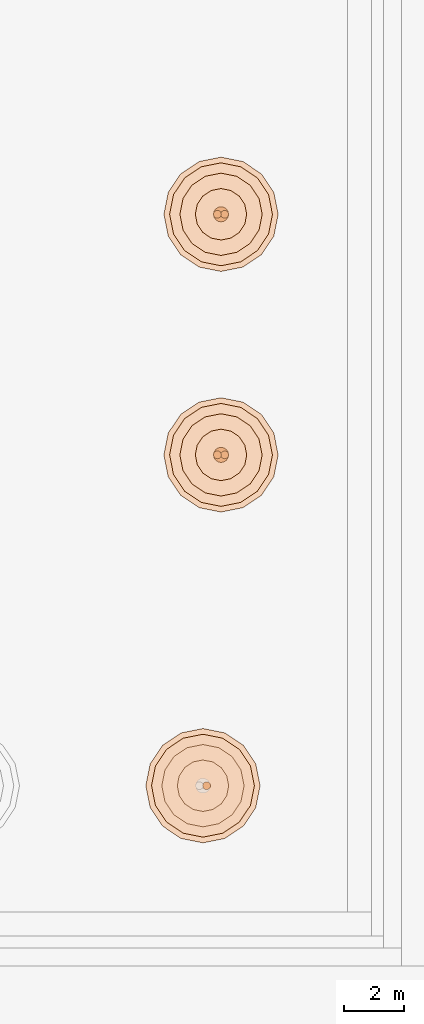
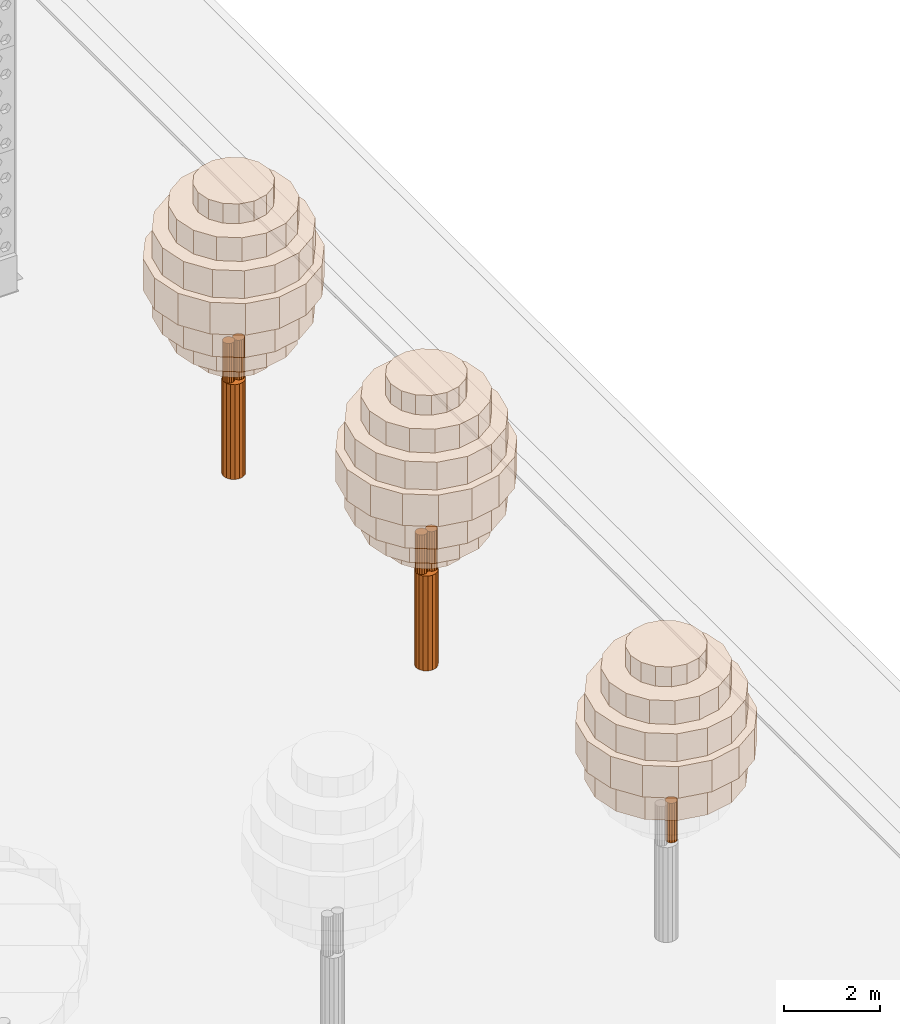
# One storey, part 245 of 250: 26 geographic elements.
"""IFC4 building model written with IfcOpenShell, lengths in metres."""

from ifc_helpers import new_model, si_unit, direction, frame, origin, place, context, subcontext, project, spatial, polyline, outline, extrude, material, type_object, element, save


model = new_model("IFC4")

# Units and contexts
model_context = context("Model", 3, precision=1e-05, world=origin(), true_north=direction((0.0, 1.0)))
body_context = subcontext(model_context, "Body", "Model", "MODEL_VIEW")
ifc_project = project(units=[si_unit("LENGTHUNIT", "METRE"), si_unit("AREAUNIT", "SQUARE_METRE"), si_unit("VOLUMEUNIT", "CUBIC_METRE"), si_unit("PLANEANGLEUNIT", "RADIAN"), si_unit("MASSUNIT", "GRAM", prefix="KILO")], contexts=[model_context])

# Site, building, storey
site_placement = place(None, origin())
site = spatial("IfcSite", under=ifc_project, at=site_placement, CompositionType="ELEMENT")
building_placement = place(site_placement, origin())
building = spatial("IfcBuilding", under=site, at=building_placement, Name="Baradari Gate Terminus", CompositionType="ELEMENT")
storey_placement = place(building_placement, origin())
storey = spatial("IfcBuildingStorey", under=building, at=storey_placement, Name="L00", CompositionType="ELEMENT", Elevation=0.0)

# Geographic elements
ifc_material_1 = material(Name="Planted foliage, green")
geographic_element_type_1 = type_object("IfcGeographicElementType", Name="Street tree crown, belly layer TR-4 3420x700", PredefinedType="USERDEFINED", material=ifc_material_1)
for number, where, name in (
    (1, (0.0, 0.0, 4.10009765625), "Street tree 15 crown 3"),
    (2, (0.0, 0.0, 5.60009765625), "Street tree 15 crown 5"),
):
    element("IfcGeographicElement", number, at=place(storey_placement, frame(where)), inside=storey, type_object=geographic_element_type_1, Name=name, ObjectType="TREE", PredefinedType="USERDEFINED", context=body_context, shape_type="SweptSolid", body=[
        extrude(outline(polyline([(244.7099609375, 8.39990234375), (244.579833984375, 9.054443359375), (244.209228515625, 9.609130859375), (243.654296875, 9.979736328125), (243.0, 10.110107421875), (242.345703125, 9.979736328125), (241.790771484375, 9.609130859375), (241.420166015625, 9.054443359375), (241.2900390625, 8.39990234375), (241.420166015625, 7.74560546875), (241.790771484375, 7.19091796875), (242.345703125, 6.820068359375), (243.0, 6.68994140625), (243.654296875, 6.820068359375), (244.209228515625, 7.19091796875), (244.579833984375, 7.74560546875), (244.7099609375, 8.39990234375)])), origin(), (0.0, 0.0, 1.0), 0.699951171875),
    ])
for number, where, name in (
    (3, (0.0, 0.0, 4.10009765625), "Street tree 21 crown 3"),
    (4, (0.0, 0.0, 5.60009765625), "Street tree 21 crown 5"),
):
    element("IfcGeographicElement", number, at=place(storey_placement, frame(where)), inside=storey, type_object=geographic_element_type_1, Name=name, ObjectType="TREE", PredefinedType="USERDEFINED", context=body_context, shape_type="SweptSolid", body=[
        extrude(outline(polyline([(245.31005859375, 19.39990234375), (245.179931640625, 20.054443359375), (244.80908203125, 20.609130859375), (244.25439453125, 20.979736328125), (243.60009765625, 21.110107421875), (242.945556640625, 20.979736328125), (242.390869140625, 20.609130859375), (242.020263671875, 20.054443359375), (241.889892578125, 19.39990234375), (242.020263671875, 18.74560546875), (242.390869140625, 18.19091796875), (242.945556640625, 17.820068359375), (243.60009765625, 17.68994140625), (244.25439453125, 17.820068359375), (244.80908203125, 18.19091796875), (245.179931640625, 18.74560546875), (245.31005859375, 19.39990234375)])), origin(), (0.0, 0.0, 1.0), 0.699951171875),
    ])
for number, where, name in (
    (5, (0.0, 0.0, 4.10009765625), "Street tree 22 crown 3"),
    (6, (0.0, 0.0, 5.60009765625), "Street tree 22 crown 5"),
):
    element("IfcGeographicElement", number, at=place(storey_placement, frame(where)), inside=storey, type_object=geographic_element_type_1, Name=name, ObjectType="TREE", PredefinedType="USERDEFINED", context=body_context, shape_type="SweptSolid", body=[
        extrude(outline(polyline([(245.31005859375, 27.39990234375), (245.179931640625, 28.054443359375), (244.80908203125, 28.609130859375), (244.25439453125, 28.979736328125), (243.60009765625, 29.110107421875), (242.945556640625, 28.979736328125), (242.390869140625, 28.609130859375), (242.020263671875, 28.054443359375), (241.889892578125, 27.39990234375), (242.020263671875, 26.74560546875), (242.390869140625, 26.19091796875), (242.945556640625, 25.820068359375), (243.60009765625, 25.68994140625), (244.25439453125, 25.820068359375), (244.80908203125, 26.19091796875), (245.179931640625, 26.74560546875), (245.31005859375, 27.39990234375)])), origin(), (0.0, 0.0, 1.0), 0.699951171875),
    ])
ifc_material_2 = material(Name="Planted foliage, green")
geographic_element_type_2 = type_object("IfcGeographicElementType", Name="Street tree crown, core layer TR-5 3800x800", PredefinedType="USERDEFINED", material=ifc_material_2)
geographic_element_1_placement = place(storey_placement, frame((0.0, 0.0, 4.800048828125)))
element("IfcGeographicElement", 7, at=geographic_element_1_placement, inside=storey, type_object=geographic_element_type_2, Name="Street tree 15 crown 4", ObjectType="TREE", PredefinedType="USERDEFINED", context=body_context, shape_type="SweptSolid", body=[
    extrude(outline(polyline([(244.89990234375, 8.39990234375), (244.75537109375, 9.127197265625), (244.343505859375, 9.743408203125), (243.72705078125, 10.1552734375), (243.0, 10.300048828125), (242.27294921875, 10.1552734375), (241.656494140625, 9.743408203125), (241.24462890625, 9.127197265625), (241.10009765625, 8.39990234375), (241.24462890625, 7.6728515625), (241.656494140625, 7.056396484375), (242.27294921875, 6.64453125), (243.0, 6.5), (243.72705078125, 6.64453125), (244.343505859375, 7.056396484375), (244.75537109375, 7.6728515625), (244.89990234375, 8.39990234375)])), origin(), (0.0, 0.0, 1.0), 0.800048828125),
])
geographic_element_2_placement = place(storey_placement, frame((0.0, 0.0, 4.800048828125)))
element("IfcGeographicElement", 8, at=geographic_element_2_placement, inside=storey, type_object=geographic_element_type_2, Name="Street tree 21 crown 4", ObjectType="TREE", PredefinedType="USERDEFINED", context=body_context, shape_type="SweptSolid", body=[
    extrude(outline(polyline([(245.5, 19.39990234375), (245.35546875, 20.127197265625), (244.943603515625, 20.743408203125), (244.3271484375, 21.1552734375), (243.60009765625, 21.300048828125), (242.872802734375, 21.1552734375), (242.256591796875, 20.743408203125), (241.8447265625, 20.127197265625), (241.699951171875, 19.39990234375), (241.8447265625, 18.6728515625), (242.256591796875, 18.056396484375), (242.872802734375, 17.64453125), (243.60009765625, 17.5), (244.3271484375, 17.64453125), (244.943603515625, 18.056396484375), (245.35546875, 18.6728515625), (245.5, 19.39990234375)])), origin(), (0.0, 0.0, 1.0), 0.800048828125),
])
geographic_element_3_placement = place(storey_placement, frame((0.0, 0.0, 4.800048828125)))
element("IfcGeographicElement", 9, at=geographic_element_3_placement, inside=storey, type_object=geographic_element_type_2, Name="Street tree 22 crown 4", ObjectType="TREE", PredefinedType="USERDEFINED", context=body_context, shape_type="SweptSolid", body=[
    extrude(outline(polyline([(245.5, 27.39990234375), (245.35546875, 28.127197265625), (244.943603515625, 28.743408203125), (244.3271484375, 29.1552734375), (243.60009765625, 29.300048828125), (242.872802734375, 29.1552734375), (242.256591796875, 28.743408203125), (241.8447265625, 28.127197265625), (241.699951171875, 27.39990234375), (241.8447265625, 26.6728515625), (242.256591796875, 26.056396484375), (242.872802734375, 25.64453125), (243.60009765625, 25.5), (244.3271484375, 25.64453125), (244.943603515625, 26.056396484375), (245.35546875, 26.6728515625), (245.5, 27.39990234375)])), origin(), (0.0, 0.0, 1.0), 0.800048828125),
])
ifc_material_3 = material(Name="Planted foliage, green")
geographic_element_type_3 = type_object("IfcGeographicElementType", Name="Street tree crown, rim layer TR-2 1710x500", PredefinedType="USERDEFINED", material=ifc_material_3)
geographic_element_4_placement = place(storey_placement, frame((0.0, 0.0, 6.89990234375)))
element("IfcGeographicElement", 10, at=geographic_element_4_placement, inside=storey, type_object=geographic_element_type_3, Name="Street tree 15 crown 7", ObjectType="TREE", PredefinedType="USERDEFINED", context=body_context, shape_type="SweptSolid", body=[
    extrude(outline(polyline([(243.85498046875, 8.39990234375), (243.7900390625, 8.727294921875), (243.6044921875, 9.004638671875), (243.3271484375, 9.18994140625), (243.0, 9.2548828125), (242.6728515625, 9.18994140625), (242.3955078125, 9.004638671875), (242.2099609375, 8.727294921875), (242.14501953125, 8.39990234375), (242.2099609375, 8.07275390625), (242.3955078125, 7.79541015625), (242.6728515625, 7.610107421875), (243.0, 7.544921875), (243.3271484375, 7.610107421875), (243.6044921875, 7.79541015625), (243.7900390625, 8.07275390625), (243.85498046875, 8.39990234375)])), origin(), (0.0, 0.0, 1.0), 0.5),
])
for number, where, name in (
    (11, (0.0, 0.0, 3.0), "Street tree 21 crown 1"),
    (12, (0.0, 0.0, 6.89990234375), "Street tree 21 crown 7"),
):
    element("IfcGeographicElement", number, at=place(storey_placement, frame(where)), inside=storey, type_object=geographic_element_type_3, Name=name, ObjectType="TREE", PredefinedType="USERDEFINED", context=body_context, shape_type="SweptSolid", body=[
        extrude(outline(polyline([(244.455078125, 19.39990234375), (244.389892578125, 19.727294921875), (244.20458984375, 20.004638671875), (243.92724609375, 20.18994140625), (243.60009765625, 20.2548828125), (243.272705078125, 20.18994140625), (242.995361328125, 20.004638671875), (242.81005859375, 19.727294921875), (242.7451171875, 19.39990234375), (242.81005859375, 19.07275390625), (242.995361328125, 18.79541015625), (243.272705078125, 18.610107421875), (243.60009765625, 18.544921875), (243.92724609375, 18.610107421875), (244.20458984375, 18.79541015625), (244.389892578125, 19.07275390625), (244.455078125, 19.39990234375)])), origin(), (0.0, 0.0, 1.0), 0.5),
    ])
for number, where, name in (
    (13, (0.0, 0.0, 3.0), "Street tree 22 crown 1"),
    (14, (0.0, 0.0, 6.89990234375), "Street tree 22 crown 7"),
):
    element("IfcGeographicElement", number, at=place(storey_placement, frame(where)), inside=storey, type_object=geographic_element_type_3, Name=name, ObjectType="TREE", PredefinedType="USERDEFINED", context=body_context, shape_type="SweptSolid", body=[
        extrude(outline(polyline([(244.455078125, 27.39990234375), (244.389892578125, 27.727294921875), (244.20458984375, 28.004638671875), (243.92724609375, 28.18994140625), (243.60009765625, 28.2548828125), (243.272705078125, 28.18994140625), (242.995361328125, 28.004638671875), (242.81005859375, 27.727294921875), (242.7451171875, 27.39990234375), (242.81005859375, 27.07275390625), (242.995361328125, 26.79541015625), (243.272705078125, 26.610107421875), (243.60009765625, 26.544921875), (243.92724609375, 26.610107421875), (244.20458984375, 26.79541015625), (244.389892578125, 27.07275390625), (244.455078125, 27.39990234375)])), origin(), (0.0, 0.0, 1.0), 0.5),
    ])
ifc_material_4 = material(Name="Planted foliage, green")
geographic_element_type_4 = type_object("IfcGeographicElementType", Name="Street tree crown, shoulder layer TR-3 2736x600", PredefinedType="USERDEFINED", material=ifc_material_4)
geographic_element_5_placement = place(storey_placement, frame((0.0, 0.0, 6.300048828125)))
element("IfcGeographicElement", 15, at=geographic_element_5_placement, inside=storey, type_object=geographic_element_type_4, Name="Street tree 15 crown 6", ObjectType="TREE", PredefinedType="USERDEFINED", context=body_context, shape_type="SweptSolid", body=[
    extrude(outline(polyline([(244.367919921875, 8.39990234375), (244.263916015625, 8.923583984375), (243.96728515625, 9.367431640625), (243.5234375, 9.663818359375), (243.0, 9.76806640625), (242.4765625, 9.663818359375), (242.03271484375, 9.367431640625), (241.736083984375, 8.923583984375), (241.632080078125, 8.39990234375), (241.736083984375, 7.87646484375), (242.03271484375, 7.4326171875), (242.4765625, 7.13623046875), (243.0, 7.031982421875), (243.5234375, 7.13623046875), (243.96728515625, 7.4326171875), (244.263916015625, 7.87646484375), (244.367919921875, 8.39990234375)])), origin(), (0.0, 0.0, 1.0), 0.599853515625),
])
geographic_element_6_placement = place(storey_placement, frame((0.0, 0.0, 3.5)))
element("IfcGeographicElement", 16, at=geographic_element_6_placement, inside=storey, type_object=geographic_element_type_4, Name="Street tree 21 crown 2", ObjectType="TREE", PredefinedType="USERDEFINED", context=body_context, shape_type="SweptSolid", body=[
    extrude(outline(polyline([(244.968017578125, 19.39990234375), (244.86376953125, 19.923583984375), (244.5673828125, 20.367431640625), (244.12353515625, 20.663818359375), (243.60009765625, 20.76806640625), (243.076416015625, 20.663818359375), (242.632568359375, 20.367431640625), (242.336181640625, 19.923583984375), (242.23193359375, 19.39990234375), (242.336181640625, 18.87646484375), (242.632568359375, 18.4326171875), (243.076416015625, 18.13623046875), (243.60009765625, 18.031982421875), (244.12353515625, 18.13623046875), (244.5673828125, 18.4326171875), (244.86376953125, 18.87646484375), (244.968017578125, 19.39990234375)])), origin(), (0.0, 0.0, 1.0), 0.60009765625),
])
geographic_element_7_placement = place(storey_placement, frame((0.0, 0.0, 6.300048828125)))
element("IfcGeographicElement", 17, at=geographic_element_7_placement, inside=storey, type_object=geographic_element_type_4, Name="Street tree 21 crown 6", ObjectType="TREE", PredefinedType="USERDEFINED", context=body_context, shape_type="SweptSolid", body=[
    extrude(outline(polyline([(244.968017578125, 19.39990234375), (244.86376953125, 19.923583984375), (244.5673828125, 20.367431640625), (244.12353515625, 20.663818359375), (243.60009765625, 20.76806640625), (243.076416015625, 20.663818359375), (242.632568359375, 20.367431640625), (242.336181640625, 19.923583984375), (242.23193359375, 19.39990234375), (242.336181640625, 18.87646484375), (242.632568359375, 18.4326171875), (243.076416015625, 18.13623046875), (243.60009765625, 18.031982421875), (244.12353515625, 18.13623046875), (244.5673828125, 18.4326171875), (244.86376953125, 18.87646484375), (244.968017578125, 19.39990234375)])), origin(), (0.0, 0.0, 1.0), 0.599853515625),
])
geographic_element_8_placement = place(storey_placement, frame((0.0, 0.0, 3.5)))
element("IfcGeographicElement", 18, at=geographic_element_8_placement, inside=storey, type_object=geographic_element_type_4, Name="Street tree 22 crown 2", ObjectType="TREE", PredefinedType="USERDEFINED", context=body_context, shape_type="SweptSolid", body=[
    extrude(outline(polyline([(244.968017578125, 27.39990234375), (244.86376953125, 27.923583984375), (244.5673828125, 28.367431640625), (244.12353515625, 28.663818359375), (243.60009765625, 28.76806640625), (243.076416015625, 28.663818359375), (242.632568359375, 28.367431640625), (242.336181640625, 27.923583984375), (242.23193359375, 27.39990234375), (242.336181640625, 26.87646484375), (242.632568359375, 26.4326171875), (243.076416015625, 26.13623046875), (243.60009765625, 26.031982421875), (244.12353515625, 26.13623046875), (244.5673828125, 26.4326171875), (244.86376953125, 26.87646484375), (244.968017578125, 27.39990234375)])), origin(), (0.0, 0.0, 1.0), 0.60009765625),
])
geographic_element_9_placement = place(storey_placement, frame((0.0, 0.0, 6.300048828125)))
element("IfcGeographicElement", 19, at=geographic_element_9_placement, inside=storey, type_object=geographic_element_type_4, Name="Street tree 22 crown 6", ObjectType="TREE", PredefinedType="USERDEFINED", context=body_context, shape_type="SweptSolid", body=[
    extrude(outline(polyline([(244.968017578125, 27.39990234375), (244.86376953125, 27.923583984375), (244.5673828125, 28.367431640625), (244.12353515625, 28.663818359375), (243.60009765625, 28.76806640625), (243.076416015625, 28.663818359375), (242.632568359375, 28.367431640625), (242.336181640625, 27.923583984375), (242.23193359375, 27.39990234375), (242.336181640625, 26.87646484375), (242.632568359375, 26.4326171875), (243.076416015625, 26.13623046875), (243.60009765625, 26.031982421875), (244.12353515625, 26.13623046875), (244.5673828125, 26.4326171875), (244.86376953125, 26.87646484375), (244.968017578125, 27.39990234375)])), origin(), (0.0, 0.0, 1.0), 0.599853515625),
])
ifc_material_5 = material(Name="Timber, hardwood", Category="wood")
geographic_element_type_5 = type_object("IfcGeographicElementType", Name="Street tree limb TR-11 260x1000", PredefinedType="USERDEFINED", material=ifc_material_5)
geographic_element_10_placement = place(storey_placement, frame((0.0, 0.0, 2.39990234375)))
element("IfcGeographicElement", 20, at=geographic_element_10_placement, inside=storey, type_object=geographic_element_type_5, Name="Street tree 15 limb 2", ObjectType="TREE", PredefinedType="USERDEFINED", context=body_context, shape_type="SweptSolid", body=[
    extrude(outline(polyline([(243.25, 8.39990234375), (243.239990234375, 8.44970703125), (243.2119140625, 8.491943359375), (243.169677734375, 8.52001953125), (243.1201171875, 8.530029296875), (243.0703125, 8.52001953125), (243.028076171875, 8.491943359375), (243.0, 8.44970703125), (242.989990234375, 8.39990234375), (243.0, 8.350341796875), (243.028076171875, 8.30810546875), (243.0703125, 8.27978515625), (243.1201171875, 8.27001953125), (243.169677734375, 8.27978515625), (243.2119140625, 8.30810546875), (243.239990234375, 8.350341796875), (243.25, 8.39990234375)])), origin(), (0.0, 0.0, 1.0), 1.0),
])
geographic_element_11_placement = place(storey_placement, frame((0.0, 0.0, 2.39990234375)))
element("IfcGeographicElement", 21, at=geographic_element_11_placement, inside=storey, type_object=geographic_element_type_5, Name="Street tree 21 limb 1", ObjectType="TREE", PredefinedType="USERDEFINED", context=body_context, shape_type="SweptSolid", body=[
    extrude(outline(polyline([(243.610107421875, 19.39990234375), (243.60009765625, 19.44970703125), (243.572021484375, 19.491943359375), (243.52978515625, 19.52001953125), (243.47998046875, 19.530029296875), (243.43017578125, 19.52001953125), (243.38818359375, 19.491943359375), (243.35986328125, 19.44970703125), (243.35009765625, 19.39990234375), (243.35986328125, 19.350341796875), (243.38818359375, 19.30810546875), (243.43017578125, 19.27978515625), (243.47998046875, 19.27001953125), (243.52978515625, 19.27978515625), (243.572021484375, 19.30810546875), (243.60009765625, 19.350341796875), (243.610107421875, 19.39990234375)])), origin(), (0.0, 0.0, 1.0), 1.0),
])
geographic_element_12_placement = place(storey_placement, frame((0.0, 0.0, 2.39990234375)))
element("IfcGeographicElement", 22, at=geographic_element_12_placement, inside=storey, type_object=geographic_element_type_5, Name="Street tree 21 limb 2", ObjectType="TREE", PredefinedType="USERDEFINED", context=body_context, shape_type="SweptSolid", body=[
    extrude(outline(polyline([(243.85009765625, 19.39990234375), (243.840087890625, 19.44970703125), (243.81201171875, 19.491943359375), (243.769775390625, 19.52001953125), (243.719970703125, 19.530029296875), (243.670166015625, 19.52001953125), (243.628173828125, 19.491943359375), (243.599853515625, 19.44970703125), (243.590087890625, 19.39990234375), (243.599853515625, 19.350341796875), (243.628173828125, 19.30810546875), (243.670166015625, 19.27978515625), (243.719970703125, 19.27001953125), (243.769775390625, 19.27978515625), (243.81201171875, 19.30810546875), (243.840087890625, 19.350341796875), (243.85009765625, 19.39990234375)])), origin(), (0.0, 0.0, 1.0), 1.0),
])
geographic_element_13_placement = place(storey_placement, frame((0.0, 0.0, 2.39990234375)))
element("IfcGeographicElement", 23, at=geographic_element_13_placement, inside=storey, type_object=geographic_element_type_5, Name="Street tree 22 limb 1", ObjectType="TREE", PredefinedType="USERDEFINED", context=body_context, shape_type="SweptSolid", body=[
    extrude(outline(polyline([(243.610107421875, 27.39990234375), (243.60009765625, 27.44970703125), (243.572021484375, 27.491943359375), (243.52978515625, 27.52001953125), (243.47998046875, 27.530029296875), (243.43017578125, 27.52001953125), (243.38818359375, 27.491943359375), (243.35986328125, 27.44970703125), (243.35009765625, 27.39990234375), (243.35986328125, 27.350341796875), (243.38818359375, 27.30810546875), (243.43017578125, 27.27978515625), (243.47998046875, 27.27001953125), (243.52978515625, 27.27978515625), (243.572021484375, 27.30810546875), (243.60009765625, 27.350341796875), (243.610107421875, 27.39990234375)])), origin(), (0.0, 0.0, 1.0), 1.0),
])
geographic_element_14_placement = place(storey_placement, frame((0.0, 0.0, 2.39990234375)))
element("IfcGeographicElement", 24, at=geographic_element_14_placement, inside=storey, type_object=geographic_element_type_5, Name="Street tree 22 limb 2", ObjectType="TREE", PredefinedType="USERDEFINED", context=body_context, shape_type="SweptSolid", body=[
    extrude(outline(polyline([(243.85009765625, 27.39990234375), (243.840087890625, 27.44970703125), (243.81201171875, 27.491943359375), (243.769775390625, 27.52001953125), (243.719970703125, 27.530029296875), (243.670166015625, 27.52001953125), (243.628173828125, 27.491943359375), (243.599853515625, 27.44970703125), (243.590087890625, 27.39990234375), (243.599853515625, 27.350341796875), (243.628173828125, 27.30810546875), (243.670166015625, 27.27978515625), (243.719970703125, 27.27001953125), (243.769775390625, 27.27978515625), (243.81201171875, 27.30810546875), (243.840087890625, 27.350341796875), (243.85009765625, 27.39990234375)])), origin(), (0.0, 0.0, 1.0), 1.0),
])
ifc_material_6 = material(Name="Timber, hardwood", Category="wood")
geographic_element_type_6 = type_object("IfcGeographicElementType", Name="Street tree trunk TR-1 500x2400", PredefinedType="USERDEFINED", material=ifc_material_6)
geographic_element_15_placement = place(storey_placement, origin())
element("IfcGeographicElement", 25, at=geographic_element_15_placement, inside=storey, type_object=geographic_element_type_6, Name="Street tree 21 trunk", ObjectType="TREE", PredefinedType="USERDEFINED", context=body_context, shape_type="SweptSolid", body=[
    extrude(outline(polyline([(243.85009765625, 19.39990234375), (243.8310546875, 19.49560546875), (243.77685546875, 19.57666015625), (243.695556640625, 19.630859375), (243.60009765625, 19.64990234375), (243.50439453125, 19.630859375), (243.42333984375, 19.57666015625), (243.369140625, 19.49560546875), (243.35009765625, 19.39990234375), (243.369140625, 19.304443359375), (243.42333984375, 19.22314453125), (243.50439453125, 19.1689453125), (243.60009765625, 19.14990234375), (243.695556640625, 19.1689453125), (243.77685546875, 19.22314453125), (243.8310546875, 19.304443359375), (243.85009765625, 19.39990234375)])), origin(), (0.0, 0.0, 1.0), 2.39990234375),
])
geographic_element_16_placement = place(storey_placement, origin())
element("IfcGeographicElement", 26, at=geographic_element_16_placement, inside=storey, type_object=geographic_element_type_6, Name="Street tree 22 trunk", ObjectType="TREE", PredefinedType="USERDEFINED", context=body_context, shape_type="SweptSolid", body=[
    extrude(outline(polyline([(243.85009765625, 27.39990234375), (243.8310546875, 27.49560546875), (243.77685546875, 27.57666015625), (243.695556640625, 27.630859375), (243.60009765625, 27.64990234375), (243.50439453125, 27.630859375), (243.42333984375, 27.57666015625), (243.369140625, 27.49560546875), (243.35009765625, 27.39990234375), (243.369140625, 27.304443359375), (243.42333984375, 27.22314453125), (243.50439453125, 27.1689453125), (243.60009765625, 27.14990234375), (243.695556640625, 27.1689453125), (243.77685546875, 27.22314453125), (243.8310546875, 27.304443359375), (243.85009765625, 27.39990234375)])), origin(), (0.0, 0.0, 1.0), 2.39990234375),
])

save(model, "model.ifc")
